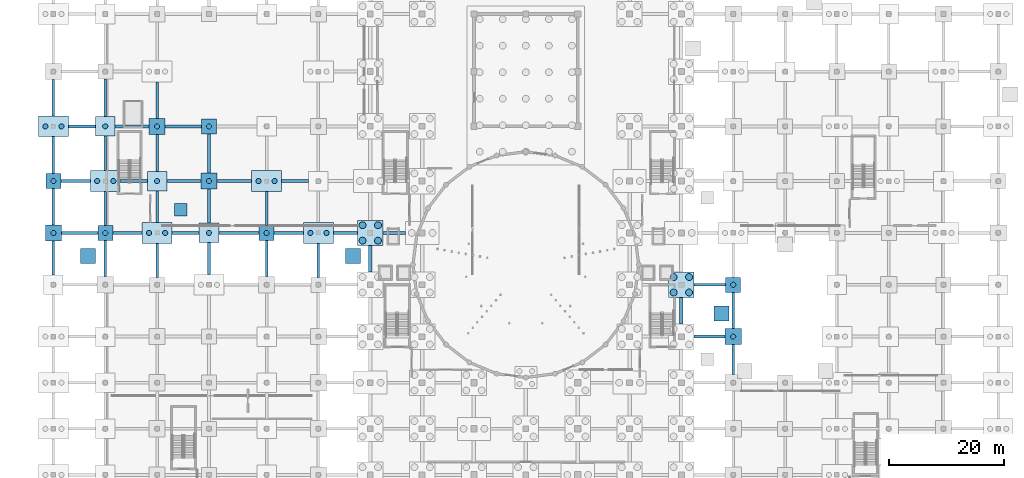
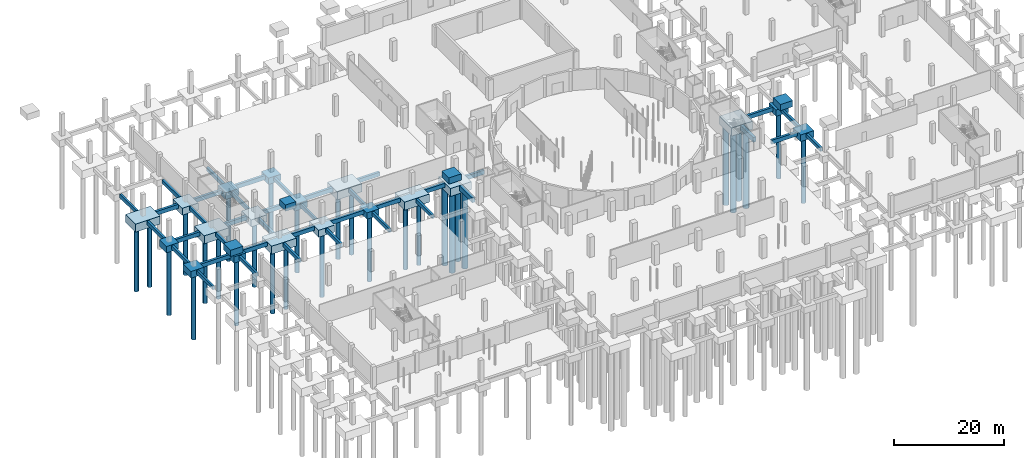
# One storey, part 5 of 40: 62 footings, 30 piles.
"""IFC4 building model written with IfcOpenShell, lengths in metres."""

from ifc_helpers import new_model, si_unit, direction, frame, origin, origin_2d, place, context, subcontext, project, spatial, rectangle, circle, extrude, material, layer, layer_set, material_profile, profile_set, type_object, element, save


model = new_model("IFC4")

# Units and contexts
model_context = context("Model", 3, precision=1e-05, world=origin(), true_north=direction((0.0, 1.0)))
body_context = subcontext(model_context, "Body", "Model", "MODEL_VIEW")
ifc_project = project(units=[si_unit("LENGTHUNIT", "METRE"), si_unit("AREAUNIT", "SQUARE_METRE"), si_unit("VOLUMEUNIT", "CUBIC_METRE"), si_unit("PLANEANGLEUNIT", "RADIAN"), si_unit("MASSUNIT", "GRAM", prefix="KILO")], contexts=[model_context])

# Site, building, storey
site_placement = place(None, origin())
site = spatial("IfcSite", under=ifc_project, at=site_placement, CompositionType="ELEMENT")
building_placement = place(site_placement, origin())
building = spatial("IfcBuilding", under=site, at=building_placement, Name="Marnock Terrace Opera House", CompositionType="ELEMENT")
storey_placement = place(building_placement, frame((0.0, 0.0, -4.800048828125)))
storey = spatial("IfcBuildingStorey", under=building, at=storey_placement, Name="B1", CompositionType="ELEMENT", Elevation=-4.800048828125)

# Footings
ifc_material = material(Name="Concrete N40 (f'c = 40 MPa)", Category="concrete")
ifc_layer_1 = layer(ifc_material, 1.39990234375)
ifc_layer_set_1 = layer_set([ifc_layer_1], Name="Concrete N40 (f'c = 40 MPa)")
footing_type_1 = type_object("IfcFootingType", Name="FT-CAP-2600", PredefinedType="PILE_CAP", material=ifc_layer_set_1)
for number, where, z_axis, x_axis, name in (
    (1, (0.0, 75.0, -1.7998046875), (0.0, 0.0, 1.0), (1.0, 0.0, 0.0), "Pile cap FT-CAP-009"),
    (2, (9.0, 66.0, -1.7998046875), (0.0, 0.0, 1.0), (1.0, 0.0, 0.0), "Pile cap FT-CAP-021"),
    (3, (27.0, 84.5, -1.7998046875), (0.0, 0.0, 1.0), (1.0, 0.0, 0.0), "Pile cap FT-CAP-049"),
    (4, (37.0, 66.0, -1.7998046875), (0.0, 0.0, 1.0), (1.0, 0.0, 0.0), "Pile cap FT-CAP-059"),
    (5, (118.0, 57.0, -1.7998046875), (0.0, 0.0, 1.0), (1.0, 0.0, 0.0), "Pile cap FT-CAP-155"),
):
    element("IfcFooting", number, at=place(storey_placement, frame(where, z_axis=z_axis, x_axis=x_axis)), inside=storey, type_object=footing_type_1, Name=name, PredefinedType="PILE_CAP", context=body_context, shape_type="SweptSolid", body=[
        extrude(rectangle(XDim=2.60009765625, YDim=2.60009765625, at=origin_2d()), origin(), (0.0, 0.0, 1.0), 1.39990234375),
    ])
ifc_layer_2 = layer(ifc_material, 1.5)
ifc_layer_set_2 = layer_set([ifc_layer_2], Name="Concrete N40 (f'c = 40 MPa)")
footing_type_2 = type_object("IfcFootingType", Name="FT-CAP-2800", PredefinedType="PILE_CAP", material=ifc_layer_set_2)
for number, where, z_axis, x_axis, name in (
    (6, (0.0, 66.0, -1.89990234375), (0.0, 0.0, 1.0), (1.0, 0.0, 0.0), "Pile cap FT-CAP-008"),
    (7, (18.0, 84.5, -1.89990234375), (0.0, 0.0, 1.0), (1.0, 0.0, 0.0), "Pile cap FT-CAP-036"),
    (8, (27.0, 75.0, -1.89990234375), (0.0, 0.0, 1.0), (1.0, 0.0, 0.0), "Pile cap FT-CAP-048"),
    (9, (118.0, 48.0, -1.89990234375), (0.0, 0.0, 1.0), (1.0, 0.0, 0.0), "Pile cap FT-CAP-154"),
):
    element("IfcFooting", number, at=place(storey_placement, frame(where, z_axis=z_axis, x_axis=x_axis)), inside=storey, type_object=footing_type_2, Name=name, PredefinedType="PILE_CAP", context=body_context, shape_type="SweptSolid", body=[
        extrude(rectangle(XDim=2.800048828125, YDim=2.800048828125, at=origin_2d()), origin(), (0.0, 0.0, 1.0), 1.5),
    ])
ifc_layer_3 = layer(ifc_material, 1.550048828125)
ifc_layer_set_3 = layer_set([ifc_layer_3], Name="Concrete N40 (f'c = 40 MPa)")
footing_type_3 = type_object("IfcFootingType", Name="FT-CAP-3400", PredefinedType="PILE_CAP", material=ifc_layer_set_3)
for number, where, z_axis, x_axis, name in (
    (10, (9.0, 84.5, -1.9501953125), (0.0, 0.0, 1.0), (1.0, 0.0, 0.0), "Pile cap FT-CAP-023"),
    (11, (18.0, 75.0, -1.9501953125), (0.0, 0.0, 1.0), (1.0, 0.0, 0.0), "Pile cap FT-CAP-035"),
    (12, (27.0, 66.0, -1.9501953125), (0.0, 0.0, 1.0), (1.0, 0.0, 0.0), "Pile cap FT-CAP-047"),
):
    element("IfcFooting", number, at=place(storey_placement, frame(where, z_axis=z_axis, x_axis=x_axis)), inside=storey, type_object=footing_type_3, Name=name, PredefinedType="PILE_CAP", context=body_context, shape_type="SweptSolid", body=[
        extrude(rectangle(XDim=3.39990234375, YDim=3.39990234375, at=origin_2d()), origin(), (0.0, 0.0, 1.0), 1.550048828125),
    ])
ifc_layer_4 = layer(ifc_material, 1.800048828125)
ifc_layer_set_4 = layer_set([ifc_layer_4], Name="Concrete N40 (f'c = 40 MPa)")
footing_type_4 = type_object("IfcFootingType", Name="FT-CAP-4400", PredefinedType="PILE_CAP", material=ifc_layer_set_4)
for number, where, z_axis, x_axis, name in (
    (13, (55.0, 66.0, -2.2001953125), (0.0, 0.0, 1.0), (1.0, 0.0, 0.0), "Pile cap FT-CAP-084"),
    (14, (109.0, 57.0, -2.2001953125), (0.0, 0.0, 1.0), (1.0, 0.0, 0.0), "Pile cap FT-CAP-142"),
):
    element("IfcFooting", number, at=place(storey_placement, frame(where, z_axis=z_axis, x_axis=x_axis)), inside=storey, type_object=footing_type_4, Name=name, PredefinedType="PILE_CAP", context=body_context, shape_type="SweptSolid", body=[
        extrude(rectangle(XDim=4.39990234375, YDim=4.39990234375, at=origin_2d()), origin(), (0.0, 0.0, 1.0), 1.800048828125),
    ])
ifc_layer_5 = layer(ifc_material, 1.800048828125)
ifc_layer_set_5 = layer_set([ifc_layer_5], Name="Concrete N40 (f'c = 40 MPa)")
footing_type_5 = type_object("IfcFootingType", Name="FT-CAP-5200", PredefinedType="PILE_CAP", material=ifc_layer_set_5)
for number, where, z_axis, x_axis, name in (
    (15, (0.0, 84.5, -2.2001953125), (0.0, 0.0, 1.0), (1.0, 0.0, 0.0), "Pile cap FT-CAP-010"),
    (16, (9.0, 75.0, -2.2001953125), (0.0, 0.0, 1.0), (1.0, 0.0, 0.0), "Pile cap FT-CAP-022"),
    (17, (18.0, 66.0, -2.2001953125), (0.0, 0.0, 1.0), (1.0, 0.0, 0.0), "Pile cap FT-CAP-034"),
    (18, (37.0, 75.0, -2.2001953125), (0.0, 0.0, 1.0), (1.0, 0.0, 0.0), "Pile cap FT-CAP-060"),
    (19, (46.0, 66.0, -2.2001953125), (0.0, 0.0, 1.0), (1.0, 0.0, 0.0), "Pile cap FT-CAP-071"),
):
    element("IfcFooting", number, at=place(storey_placement, frame(where, z_axis=z_axis, x_axis=x_axis)), inside=storey, type_object=footing_type_5, Name=name, PredefinedType="PILE_CAP", context=body_context, shape_type="SweptSolid", body=[
        extrude(rectangle(XDim=5.199951171875, YDim=3.60009765625, at=origin_2d()), origin(), (0.0, 0.0, 1.0), 1.800048828125),
    ])
ifc_material_profile_1 = material_profile(ifc_material, rectangle(XDim=0.449951171875, YDim=0.800048828125, at=origin_2d()))
ifc_profile_set_1 = profile_set([ifc_material_profile_1], Name="Concrete N40 (f'c = 40 MPa)")
footing_type_6 = type_object("IfcFootingType", Name="FT-GB-450", PredefinedType="FOOTING_BEAM", material=ifc_profile_set_1)
footing_1_placement = place(storey_placement, frame((0.0, 58.699951171875, -0.949951171875), z_axis=(0.0, 1.0, 0.0), x_axis=(-1.0, 0.0, 0.0)))
element("IfcFooting", 20, at=footing_1_placement, inside=storey, type_object=footing_type_6, Name="Ground tie beam Y-7", PredefinedType="FOOTING_BEAM", context=body_context, shape_type="SweptSolid", body=[
    extrude(rectangle(XDim=0.449951171875, YDim=0.800048828125, at=origin_2d()), origin(), (0.0, 0.0, 1.0), 5.900146484375),
])
footing_2_placement = place(storey_placement, frame((0.0, 67.39990234375, -0.949951171875), z_axis=(0.0, 1.0, 0.0), x_axis=(-1.0, 0.0, 0.0)))
element("IfcFooting", 21, at=footing_2_placement, inside=storey, type_object=footing_type_6, Name="Ground tie beam Y-8", PredefinedType="FOOTING_BEAM", context=body_context, shape_type="SweptSolid", body=[
    extrude(rectangle(XDim=0.449951171875, YDim=0.800048828125, at=origin_2d()), origin(), (0.0, 0.0, 1.0), 6.300048828125),
])
footing_3_placement = place(storey_placement, frame((0.0, 76.300048828125, -0.949951171875), z_axis=(0.0, 1.0, 0.0), x_axis=(-1.0, 0.0, 0.0)))
element("IfcFooting", 22, at=footing_3_placement, inside=storey, type_object=footing_type_6, Name="Ground tie beam Y-9", PredefinedType="FOOTING_BEAM", context=body_context, shape_type="SweptSolid", body=[
    extrude(rectangle(XDim=0.449951171875, YDim=0.800048828125, at=origin_2d()), origin(), (0.0, 0.0, 1.0), 6.39990234375),
])
for number, where, z_axis, x_axis, name in (
    (23, (0.0, 86.300048828125, -0.949951171875), (0.0, 1.0, 0.0), (-1.0, 0.0, 0.0), "Ground tie beam Y-10"),
    (24, (9.0, 58.39990234375, -0.949951171875), (0.0, 1.0, 0.0), (-1.0, 0.0, 0.0), "Ground tie beam Y-19"),
):
    element("IfcFooting", number, at=place(storey_placement, frame(where, z_axis=z_axis, x_axis=x_axis)), inside=storey, type_object=footing_type_6, Name=name, PredefinedType="FOOTING_BEAM", context=body_context, shape_type="SweptSolid", body=[
        extrude(rectangle(XDim=0.449951171875, YDim=0.800048828125, at=origin_2d()), origin(), (0.0, 0.0, 1.0), 6.300048828125),
    ])
footing_4_placement = place(storey_placement, frame((9.0, 67.300048828125, -0.949951171875), z_axis=(0.0, 1.0, 0.0), x_axis=(-1.0, 0.0, 0.0)))
element("IfcFooting", 25, at=footing_4_placement, inside=storey, type_object=footing_type_6, Name="Ground tie beam Y-20", PredefinedType="FOOTING_BEAM", context=body_context, shape_type="SweptSolid", body=[
    extrude(rectangle(XDim=0.449951171875, YDim=0.800048828125, at=origin_2d()), origin(), (0.0, 0.0, 1.0), 5.89990234375),
])
footing_5_placement = place(storey_placement, frame((9.0, 76.800048828125, -0.949951171875), z_axis=(0.0, 1.0, 0.0), x_axis=(-1.0, 0.0, 0.0)))
element("IfcFooting", 26, at=footing_5_placement, inside=storey, type_object=footing_type_6, Name="Ground tie beam Y-21", PredefinedType="FOOTING_BEAM", context=body_context, shape_type="SweptSolid", body=[
    extrude(rectangle(XDim=0.449951171875, YDim=0.800048828125, at=origin_2d()), origin(), (0.0, 0.0, 1.0), 6.0),
])
footing_6_placement = place(storey_placement, frame((9.0, 86.199951171875, -0.949951171875), z_axis=(0.0, 1.0, 0.0), x_axis=(-1.0, 0.0, 0.0)))
element("IfcFooting", 27, at=footing_6_placement, inside=storey, type_object=footing_type_6, Name="Ground tie beam Y-22", PredefinedType="FOOTING_BEAM", context=body_context, shape_type="SweptSolid", body=[
    extrude(rectangle(XDim=0.449951171875, YDim=0.800048828125, at=origin_2d()), origin(), (0.0, 0.0, 1.0), 6.5),
])
footing_7_placement = place(storey_placement, frame((18.0, 58.300048828125, -0.949951171875), z_axis=(0.0, 1.0, 0.0), x_axis=(-1.0, 0.0, 0.0)))
element("IfcFooting", 28, at=footing_7_placement, inside=storey, type_object=footing_type_6, Name="Ground tie beam Y-31", PredefinedType="FOOTING_BEAM", context=body_context, shape_type="SweptSolid", body=[
    extrude(rectangle(XDim=0.449951171875, YDim=0.800048828125, at=origin_2d()), origin(), (0.0, 0.0, 1.0), 5.89990234375),
])
footing_8_placement = place(storey_placement, frame((18.0, 67.800048828125, -0.949951171875), z_axis=(0.0, 1.0, 0.0), x_axis=(-1.0, 0.0, 0.0)))
element("IfcFooting", 29, at=footing_8_placement, inside=storey, type_object=footing_type_6, Name="Ground tie beam Y-32", PredefinedType="FOOTING_BEAM", context=body_context, shape_type="SweptSolid", body=[
    extrude(rectangle(XDim=0.449951171875, YDim=0.800048828125, at=origin_2d()), origin(), (0.0, 0.0, 1.0), 5.5),
])
footing_9_placement = place(storey_placement, frame((18.0, 76.699951171875, -0.949951171875), z_axis=(0.0, 1.0, 0.0), x_axis=(-1.0, 0.0, 0.0)))
element("IfcFooting", 30, at=footing_9_placement, inside=storey, type_object=footing_type_6, Name="Ground tie beam Y-33", PredefinedType="FOOTING_BEAM", context=body_context, shape_type="SweptSolid", body=[
    extrude(rectangle(XDim=0.449951171875, YDim=0.800048828125, at=origin_2d()), origin(), (0.0, 0.0, 1.0), 6.400146484375),
])
footing_10_placement = place(storey_placement, frame((18.0, 85.89990234375, -0.949951171875), z_axis=(0.0, 1.0, 0.0), x_axis=(-1.0, 0.0, 0.0)))
element("IfcFooting", 31, at=footing_10_placement, inside=storey, type_object=footing_type_6, Name="Ground tie beam Y-34", PredefinedType="FOOTING_BEAM", context=body_context, shape_type="SweptSolid", body=[
    extrude(rectangle(XDim=0.449951171875, YDim=0.800048828125, at=origin_2d()), origin(), (0.0, 0.0, 1.0), 6.300048828125),
])
footing_11_placement = place(storey_placement, frame((27.0, 58.800048828125, -0.949951171875), z_axis=(0.0, 1.0, 0.0), x_axis=(-1.0, 0.0, 0.0)))
element("IfcFooting", 32, at=footing_11_placement, inside=storey, type_object=footing_type_6, Name="Ground tie beam Y-43", PredefinedType="FOOTING_BEAM", context=body_context, shape_type="SweptSolid", body=[
    extrude(rectangle(XDim=0.449951171875, YDim=0.800048828125, at=origin_2d()), origin(), (0.0, 0.0, 1.0), 5.5),
])
footing_12_placement = place(storey_placement, frame((27.0, 67.699951171875, -0.949951171875), z_axis=(0.0, 1.0, 0.0), x_axis=(-1.0, 0.0, 0.0)))
element("IfcFooting", 33, at=footing_12_placement, inside=storey, type_object=footing_type_6, Name="Ground tie beam Y-44", PredefinedType="FOOTING_BEAM", context=body_context, shape_type="SweptSolid", body=[
    extrude(rectangle(XDim=0.449951171875, YDim=0.800048828125, at=origin_2d()), origin(), (0.0, 0.0, 1.0), 5.900146484375),
])
footing_13_placement = place(storey_placement, frame((27.0, 76.39990234375, -0.949951171875), z_axis=(0.0, 1.0, 0.0), x_axis=(-1.0, 0.0, 0.0)))
element("IfcFooting", 34, at=footing_13_placement, inside=storey, type_object=footing_type_6, Name="Ground tie beam Y-45", PredefinedType="FOOTING_BEAM", context=body_context, shape_type="SweptSolid", body=[
    extrude(rectangle(XDim=0.449951171875, YDim=0.800048828125, at=origin_2d()), origin(), (0.0, 0.0, 1.0), 6.800048828125),
])
footing_14_placement = place(storey_placement, frame((37.0, 58.39990234375, -0.949951171875), z_axis=(0.0, 1.0, 0.0), x_axis=(-1.0, 0.0, 0.0)))
element("IfcFooting", 35, at=footing_14_placement, inside=storey, type_object=footing_type_6, Name="Ground tie beam Y-53", PredefinedType="FOOTING_BEAM", context=body_context, shape_type="SweptSolid", body=[
    extrude(rectangle(XDim=0.449951171875, YDim=0.800048828125, at=origin_2d()), origin(), (0.0, 0.0, 1.0), 6.300048828125),
])
for number, where, z_axis, x_axis, name in (
    (36, (37.0, 67.300048828125, -0.949951171875), (0.0, 1.0, 0.0), (-1.0, 0.0, 0.0), "Ground tie beam Y-54"),
    (37, (46.0, 58.300048828125, -0.949951171875), (0.0, 1.0, 0.0), (-1.0, 0.0, 0.0), "Ground tie beam Y-63"),
):
    element("IfcFooting", number, at=place(storey_placement, frame(where, z_axis=z_axis, x_axis=x_axis)), inside=storey, type_object=footing_type_6, Name=name, PredefinedType="FOOTING_BEAM", context=body_context, shape_type="SweptSolid", body=[
        extrude(rectangle(XDim=0.449951171875, YDim=0.800048828125, at=origin_2d()), origin(), (0.0, 0.0, 1.0), 5.89990234375),
    ])
footing_15_placement = place(storey_placement, frame((118.0, 41.39990234375, -0.949951171875), z_axis=(0.0, 1.0, 0.0), x_axis=(-1.0, 0.0, 0.0)))
element("IfcFooting", 38, at=footing_15_placement, inside=storey, type_object=footing_type_6, Name="Ground tie beam Y-134", PredefinedType="FOOTING_BEAM", context=body_context, shape_type="SweptSolid", body=[
    extrude(rectangle(XDim=0.449951171875, YDim=0.800048828125, at=origin_2d()), origin(), (0.0, 0.0, 1.0), 5.2001953125),
])
footing_16_placement = place(storey_placement, frame((118.0, 49.39990234375, -0.949951171875), z_axis=(0.0, 1.0, 0.0), x_axis=(-1.0, 0.0, 0.0)))
element("IfcFooting", 39, at=footing_16_placement, inside=storey, type_object=footing_type_6, Name="Ground tie beam Y-135", PredefinedType="FOOTING_BEAM", context=body_context, shape_type="SweptSolid", body=[
    extrude(rectangle(XDim=0.449951171875, YDim=0.800048828125, at=origin_2d()), origin(), (0.0, 0.0, 1.0), 6.300048828125),
])
ifc_material_profile_2 = material_profile(ifc_material, rectangle(XDim=0.5, YDim=0.89990234375, at=origin_2d()))
ifc_profile_set_2 = profile_set([ifc_material_profile_2], Name="Concrete N40 (f'c = 40 MPa)")
footing_type_7 = type_object("IfcFootingType", Name="FT-GB-500", PredefinedType="FOOTING_BEAM", material=ifc_profile_set_2)
footing_17_placement = place(storey_placement, frame((111.199951171875, 48.0, -0.849853515625), z_axis=(1.0, 0.0, 0.0), x_axis=(0.0, 1.0, 0.0)))
element("IfcFooting", 40, at=footing_17_placement, inside=storey, type_object=footing_type_7, Name="Ground tie beam X-293", PredefinedType="FOOTING_BEAM", context=body_context, shape_type="SweptSolid", body=[
    extrude(rectangle(XDim=0.5, YDim=0.89990234375, at=origin_2d()), origin(), (0.0, 0.0, 1.0), 5.400146484375),
])
footing_18_placement = place(storey_placement, frame((111.199951171875, 57.0, -0.849853515625), z_axis=(1.0, 0.0, 0.0), x_axis=(0.0, 1.0, 0.0)))
element("IfcFooting", 41, at=footing_18_placement, inside=storey, type_object=footing_type_7, Name="Ground tie beam X-305", PredefinedType="FOOTING_BEAM", context=body_context, shape_type="SweptSolid", body=[
    extrude(rectangle(XDim=0.5, YDim=0.89990234375, at=origin_2d()), origin(), (0.0, 0.0, 1.0), 5.5),
])
footing_19_placement = place(storey_placement, frame((1.39990234375, 66.0, -0.849853515625), z_axis=(1.0, 0.0, 0.0), x_axis=(0.0, 1.0, 0.0)))
element("IfcFooting", 42, at=footing_19_placement, inside=storey, type_object=footing_type_7, Name="Ground tie beam X-309", PredefinedType="FOOTING_BEAM", context=body_context, shape_type="SweptSolid", body=[
    extrude(rectangle(XDim=0.5, YDim=0.89990234375, at=origin_2d()), origin(), (0.0, 0.0, 1.0), 6.300048828125),
])
footing_20_placement = place(storey_placement, frame((10.300048828125, 66.0, -0.849853515625), z_axis=(1.0, 0.0, 0.0), x_axis=(0.0, 1.0, 0.0)))
element("IfcFooting", 43, at=footing_20_placement, inside=storey, type_object=footing_type_7, Name="Ground tie beam X-310", PredefinedType="FOOTING_BEAM", context=body_context, shape_type="SweptSolid", body=[
    extrude(rectangle(XDim=0.5, YDim=0.89990234375, at=origin_2d()), origin(), (0.0, 0.0, 1.0), 5.099853515625),
])
footing_21_placement = place(storey_placement, frame((20.60009765625, 66.0, -0.849853515625), z_axis=(1.0, 0.0, 0.0), x_axis=(0.0, 1.0, 0.0)))
element("IfcFooting", 44, at=footing_21_placement, inside=storey, type_object=footing_type_7, Name="Ground tie beam X-311", PredefinedType="FOOTING_BEAM", context=body_context, shape_type="SweptSolid", body=[
    extrude(rectangle(XDim=0.5, YDim=0.89990234375, at=origin_2d()), origin(), (0.0, 0.0, 1.0), 4.699951171875),
])
footing_22_placement = place(storey_placement, frame((28.699951171875, 66.0, -0.849853515625), z_axis=(1.0, 0.0, 0.0), x_axis=(0.0, 1.0, 0.0)))
element("IfcFooting", 45, at=footing_22_placement, inside=storey, type_object=footing_type_7, Name="Ground tie beam X-312", PredefinedType="FOOTING_BEAM", context=body_context, shape_type="SweptSolid", body=[
    extrude(rectangle(XDim=0.5, YDim=0.89990234375, at=origin_2d()), origin(), (0.0, 0.0, 1.0), 7.0),
])
footing_23_placement = place(storey_placement, frame((38.300048828125, 66.0, -0.849853515625), z_axis=(1.0, 0.0, 0.0), x_axis=(0.0, 1.0, 0.0)))
element("IfcFooting", 46, at=footing_23_placement, inside=storey, type_object=footing_type_7, Name="Ground tie beam X-313", PredefinedType="FOOTING_BEAM", context=body_context, shape_type="SweptSolid", body=[
    extrude(rectangle(XDim=0.5, YDim=0.89990234375, at=origin_2d()), origin(), (0.0, 0.0, 1.0), 5.099853515625),
])
footing_24_placement = place(storey_placement, frame((48.60009765625, 66.0, -0.849853515625), z_axis=(1.0, 0.0, 0.0), x_axis=(0.0, 1.0, 0.0)))
element("IfcFooting", 47, at=footing_24_placement, inside=storey, type_object=footing_type_7, Name="Ground tie beam X-314", PredefinedType="FOOTING_BEAM", context=body_context, shape_type="SweptSolid", body=[
    extrude(rectangle(XDim=0.5, YDim=0.89990234375, at=origin_2d()), origin(), (0.0, 0.0, 1.0), 4.199951171875),
])
footing_25_placement = place(storey_placement, frame((57.199951171875, 66.0, -0.849853515625), z_axis=(1.0, 0.0, 0.0), x_axis=(0.0, 1.0, 0.0)))
element("IfcFooting", 48, at=footing_25_placement, inside=storey, type_object=footing_type_7, Name="Ground tie beam X-315", PredefinedType="FOOTING_BEAM", context=body_context, shape_type="SweptSolid", body=[
    extrude(rectangle(XDim=0.5, YDim=0.89990234375, at=origin_2d()), origin(), (0.0, 0.0, 1.0), 3.900146484375),
])
footing_26_placement = place(storey_placement, frame((1.300048828125, 75.0, -0.849853515625), z_axis=(1.0, 0.0, 0.0), x_axis=(0.0, 1.0, 0.0)))
element("IfcFooting", 49, at=footing_26_placement, inside=storey, type_object=footing_type_7, Name="Ground tie beam X-323", PredefinedType="FOOTING_BEAM", context=body_context, shape_type="SweptSolid", body=[
    extrude(rectangle(XDim=0.5, YDim=0.89990234375, at=origin_2d()), origin(), (0.0, 0.0, 1.0), 5.099853515625),
])
footing_27_placement = place(storey_placement, frame((11.60009765625, 75.0, -0.849853515625), z_axis=(1.0, 0.0, 0.0), x_axis=(0.0, 1.0, 0.0)))
element("IfcFooting", 50, at=footing_27_placement, inside=storey, type_object=footing_type_7, Name="Ground tie beam X-324", PredefinedType="FOOTING_BEAM", context=body_context, shape_type="SweptSolid", body=[
    extrude(rectangle(XDim=0.5, YDim=0.89990234375, at=origin_2d()), origin(), (0.0, 0.0, 1.0), 4.699951171875),
])
footing_28_placement = place(storey_placement, frame((19.699951171875, 75.0, -0.849853515625), z_axis=(1.0, 0.0, 0.0), x_axis=(0.0, 1.0, 0.0)))
element("IfcFooting", 51, at=footing_28_placement, inside=storey, type_object=footing_type_7, Name="Ground tie beam X-325", PredefinedType="FOOTING_BEAM", context=body_context, shape_type="SweptSolid", body=[
    extrude(rectangle(XDim=0.5, YDim=0.89990234375, at=origin_2d()), origin(), (0.0, 0.0, 1.0), 5.900146484375),
])
footing_29_placement = place(storey_placement, frame((28.39990234375, 75.0, -0.849853515625), z_axis=(1.0, 0.0, 0.0), x_axis=(0.0, 1.0, 0.0)))
element("IfcFooting", 52, at=footing_29_placement, inside=storey, type_object=footing_type_7, Name="Ground tie beam X-326", PredefinedType="FOOTING_BEAM", context=body_context, shape_type="SweptSolid", body=[
    extrude(rectangle(XDim=0.5, YDim=0.89990234375, at=origin_2d()), origin(), (0.0, 0.0, 1.0), 6.0),
])
for number, where, z_axis, x_axis, name in (
    (53, (39.60009765625, 75.0, -0.849853515625), (1.0, 0.0, 0.0), (0.0, 1.0, 0.0), "Ground tie beam X-327"),
    (54, (2.60009765625, 84.5, -0.849853515625), (1.0, 0.0, 0.0), (0.0, 1.0, 0.0), "Ground tie beam X-337"),
):
    element("IfcFooting", number, at=place(storey_placement, frame(where, z_axis=z_axis, x_axis=x_axis)), inside=storey, type_object=footing_type_7, Name=name, PredefinedType="FOOTING_BEAM", context=body_context, shape_type="SweptSolid", body=[
        extrude(rectangle(XDim=0.5, YDim=0.89990234375, at=origin_2d()), origin(), (0.0, 0.0, 1.0), 4.699951171875),
    ])
footing_30_placement = place(storey_placement, frame((10.699951171875, 84.5, -0.849853515625), z_axis=(1.0, 0.0, 0.0), x_axis=(0.0, 1.0, 0.0)))
element("IfcFooting", 55, at=footing_30_placement, inside=storey, type_object=footing_type_7, Name="Ground tie beam X-338", PredefinedType="FOOTING_BEAM", context=body_context, shape_type="SweptSolid", body=[
    extrude(rectangle(XDim=0.5, YDim=0.89990234375, at=origin_2d()), origin(), (0.0, 0.0, 1.0), 5.900146484375),
])
footing_31_placement = place(storey_placement, frame((19.39990234375, 84.5, -0.849853515625), z_axis=(1.0, 0.0, 0.0), x_axis=(0.0, 1.0, 0.0)))
element("IfcFooting", 56, at=footing_31_placement, inside=storey, type_object=footing_type_7, Name="Ground tie beam X-339", PredefinedType="FOOTING_BEAM", context=body_context, shape_type="SweptSolid", body=[
    extrude(rectangle(XDim=0.5, YDim=0.89990234375, at=origin_2d()), origin(), (0.0, 0.0, 1.0), 6.300048828125),
])
ifc_material_profile_3 = material_profile(ifc_material, rectangle(XDim=0.60009765625, YDim=1.10009765625, at=origin_2d()))
ifc_profile_set_3 = profile_set([ifc_material_profile_3], Name="Concrete N40 (f'c = 40 MPa)")
footing_type_8 = type_object("IfcFootingType", Name="FT-GB-600", PredefinedType="FOOTING_BEAM", material=ifc_profile_set_3)
for number, where, z_axis, x_axis, name in (
    (57, (55.0, 59.199951171875, -0.949951171875), (0.0, 1.0, 0.0), (-1.0, 0.0, 0.0), "Ground tie beam Y-75"),
    (58, (109.0, 50.199951171875, -0.949951171875), (0.0, 1.0, 0.0), (-1.0, 0.0, 0.0), "Ground tie beam Y-123"),
):
    element("IfcFooting", number, at=place(storey_placement, frame(where, z_axis=z_axis, x_axis=x_axis)), inside=storey, type_object=footing_type_8, Name=name, PredefinedType="FOOTING_BEAM", context=body_context, shape_type="SweptSolid", body=[
        extrude(rectangle(XDim=0.60009765625, YDim=1.10009765625, at=origin_2d()), origin(), (0.0, 0.0, 1.0), 4.60009765625),
    ])
ifc_layer_6 = layer(ifc_material, 1.39990234375)
ifc_layer_set_6 = layer_set([ifc_layer_6], Name="Concrete N40 (f'c = 40 MPa)")
footing_type_9 = type_object("IfcFootingType", Name="FT-PAD-2200", PredefinedType="PAD_FOOTING", material=ifc_layer_set_6)
footing_32_placement = place(storey_placement, frame((22.10009765625, 70.0, 2.550048828125), z_axis=(0.0, 0.0, 1.0), x_axis=(1.0, 0.0, 0.0)))
element("IfcFooting", 59, at=footing_32_placement, inside=storey, type_object=footing_type_9, Name="Grade ramp foundation RMP-STAGE-01", PredefinedType="PAD_FOOTING", context=body_context, shape_type="SweptSolid", body=[
    extrude(rectangle(XDim=2.199951171875, YDim=2.199951171875, at=origin_2d()), origin(), (0.0, 0.0, 1.0), 1.39990234375),
])
ifc_layer_7 = layer(ifc_material, 1.39990234375)
ifc_layer_set_7 = layer_set([ifc_layer_7], Name="Concrete N40 (f'c = 40 MPa)")
footing_type_10 = type_object("IfcFootingType", Name="FT-PAD-2600", PredefinedType="PAD_FOOTING", material=ifc_layer_set_7)
for number, where, z_axis, x_axis, name in (
    (60, (52.0, 62.0, 3.16015625), (0.0, 0.0, 1.0), (1.0, 0.0, 0.0), "Upper-terrace grade pad footing FT-APR-CW2"),
    (61, (6.0, 62.0, 3.16015625), (0.0, 0.0, 1.0), (1.0, 0.0, 0.0), "Upper-terrace grade pad footing FT-APR-CW3"),
    (62, (116.0, 52.0, 3.16015625), (0.0, 0.0, 1.0), (1.0, 0.0, 0.0), "Upper-terrace grade pad footing FT-APR-PS2"),
):
    element("IfcFooting", number, at=place(storey_placement, frame(where, z_axis=z_axis, x_axis=x_axis)), inside=storey, type_object=footing_type_10, Name=name, PredefinedType="PAD_FOOTING", context=body_context, shape_type="SweptSolid", body=[
        extrude(rectangle(XDim=2.60009765625, YDim=2.60009765625, at=origin_2d()), origin(), (0.0, 0.0, 1.0), 1.39990234375),
    ])

# Piles
ifc_material_profile_4 = material_profile(ifc_material, circle(Radius=0.6005859375, at=origin_2d()))
ifc_profile_set_4 = profile_set([ifc_material_profile_4], Name="Concrete N40 (f'c = 40 MPa)")
pile_type_1 = type_object("IfcPileType", Name="PILE-CFA-1200", PredefinedType="BORED", material=ifc_profile_set_4)
for number, where, z_axis, x_axis, name in (
    (63, (53.659912109375, 64.659912109375, -2.099853515625), (0.0, 0.0, -1.0), (1.0, 0.0, 0.0), "Bored CFA pile 84.1"),
    (64, (56.340087890625, 64.659912109375, -2.099853515625), (0.0, 0.0, -1.0), (1.0, 0.0, 0.0), "Bored CFA pile 84.2"),
    (65, (53.659912109375, 67.340087890625, -2.099853515625), (0.0, 0.0, -1.0), (1.0, 0.0, 0.0), "Bored CFA pile 84.3"),
    (66, (56.340087890625, 67.340087890625, -2.099853515625), (0.0, 0.0, -1.0), (1.0, 0.0, 0.0), "Bored CFA pile 84.4"),
    (67, (107.659912109375, 55.659912109375, -2.099853515625), (0.0, 0.0, -1.0), (1.0, 0.0, 0.0), "Bored CFA pile 142.1"),
    (68, (110.340087890625, 55.659912109375, -2.099853515625), (0.0, 0.0, -1.0), (1.0, 0.0, 0.0), "Bored CFA pile 142.2"),
    (69, (107.659912109375, 58.340087890625, -2.099853515625), (0.0, 0.0, -1.0), (1.0, 0.0, 0.0), "Bored CFA pile 142.3"),
    (70, (110.340087890625, 58.340087890625, -2.099853515625), (0.0, 0.0, -1.0), (1.0, 0.0, 0.0), "Bored CFA pile 142.4"),
):
    element("IfcPile", number, at=place(storey_placement, frame(where, z_axis=z_axis, x_axis=x_axis)), inside=storey, type_object=pile_type_1, Name=name, PredefinedType="BORED", context=body_context, shape_type="SweptSolid", body=[
        extrude(circle(Radius=0.6005859375, at=origin_2d()), origin(), (0.0, 0.0, 1.0), 17.60009765625),
    ])
ifc_material_profile_5 = material_profile(ifc_material, circle(Radius=0.449951171875, at=origin_2d()))
ifc_profile_set_5 = profile_set([ifc_material_profile_5], Name="Concrete N40 (f'c = 40 MPa)")
pile_type_2 = type_object("IfcPileType", Name="PILE-CFA-900", PredefinedType="BORED", material=ifc_profile_set_5)
pile_1_placement = place(storey_placement, frame((0.0, 66.0, -1.800048828125), z_axis=(0.0, 0.0, -1.0), x_axis=(1.0, 0.0, 0.0)))
element("IfcPile", 71, at=pile_1_placement, inside=storey, type_object=pile_type_2, Name="Bored CFA pile 8.1", PredefinedType="BORED", context=body_context, shape_type="SweptSolid", body=[
    extrude(circle(Radius=0.449951171875, at=origin_2d()), origin(), (0.0, 0.0, 1.0), 14.89990234375),
])
pile_2_placement = place(storey_placement, frame((0.0, 75.0, -1.699951171875), z_axis=(0.0, 0.0, -1.0), x_axis=(1.0, 0.0, 0.0)))
element("IfcPile", 72, at=pile_2_placement, inside=storey, type_object=pile_type_2, Name="Bored CFA pile 9.1", PredefinedType="BORED", context=body_context, shape_type="SweptSolid", body=[
    extrude(circle(Radius=0.449951171875, at=origin_2d()), origin(), (0.0, 0.0, 1.0), 15.0),
])
for number, where, z_axis, x_axis, name in (
    (73, (-1.39990234375, 84.5, -2.099853515625), (0.0, 0.0, -1.0), (1.0, 0.0, 0.0), "Bored CFA pile 10.1"),
    (74, (1.39990234375, 84.5, -2.099853515625), (0.0, 0.0, -1.0), (1.0, 0.0, 0.0), "Bored CFA pile 10.2"),
):
    element("IfcPile", number, at=place(storey_placement, frame(where, z_axis=z_axis, x_axis=x_axis)), inside=storey, type_object=pile_type_2, Name=name, PredefinedType="BORED", context=body_context, shape_type="SweptSolid", body=[
        extrude(circle(Radius=0.449951171875, at=origin_2d()), origin(), (0.0, 0.0, 1.0), 14.60009765625),
    ])
pile_3_placement = place(storey_placement, frame((9.0, 66.0, -1.699951171875), z_axis=(0.0, 0.0, -1.0), x_axis=(1.0, 0.0, 0.0)))
element("IfcPile", 75, at=pile_3_placement, inside=storey, type_object=pile_type_2, Name="Bored CFA pile 21.1", PredefinedType="BORED", context=body_context, shape_type="SweptSolid", body=[
    extrude(circle(Radius=0.449951171875, at=origin_2d()), origin(), (0.0, 0.0, 1.0), 15.0),
])
for number, where, z_axis, x_axis, name in (
    (76, (7.60009765625, 75.0, -2.099853515625), (0.0, 0.0, -1.0), (1.0, 0.0, 0.0), "Bored CFA pile 22.1"),
    (77, (10.39990234375, 75.0, -2.099853515625), (0.0, 0.0, -1.0), (1.0, 0.0, 0.0), "Bored CFA pile 22.2"),
):
    element("IfcPile", number, at=place(storey_placement, frame(where, z_axis=z_axis, x_axis=x_axis)), inside=storey, type_object=pile_type_2, Name=name, PredefinedType="BORED", context=body_context, shape_type="SweptSolid", body=[
        extrude(circle(Radius=0.449951171875, at=origin_2d()), origin(), (0.0, 0.0, 1.0), 14.60009765625),
    ])
pile_4_placement = place(storey_placement, frame((9.0, 84.5, -1.849853515625), z_axis=(0.0, 0.0, -1.0), x_axis=(1.0, 0.0, 0.0)))
element("IfcPile", 78, at=pile_4_placement, inside=storey, type_object=pile_type_2, Name="Bored CFA pile 23.1", PredefinedType="BORED", context=body_context, shape_type="SweptSolid", body=[
    extrude(circle(Radius=0.449951171875, at=origin_2d()), origin(), (0.0, 0.0, 1.0), 14.85009765625),
])
for number, where, z_axis, x_axis, name in (
    (79, (16.60009765625, 66.0, -2.099853515625), (0.0, 0.0, -1.0), (1.0, 0.0, 0.0), "Bored CFA pile 34.1"),
    (80, (19.39990234375, 66.0, -2.099853515625), (0.0, 0.0, -1.0), (1.0, 0.0, 0.0), "Bored CFA pile 34.2"),
):
    element("IfcPile", number, at=place(storey_placement, frame(where, z_axis=z_axis, x_axis=x_axis)), inside=storey, type_object=pile_type_2, Name=name, PredefinedType="BORED", context=body_context, shape_type="SweptSolid", body=[
        extrude(circle(Radius=0.449951171875, at=origin_2d()), origin(), (0.0, 0.0, 1.0), 14.60009765625),
    ])
pile_5_placement = place(storey_placement, frame((18.0, 75.0, -1.849853515625), z_axis=(0.0, 0.0, -1.0), x_axis=(1.0, 0.0, 0.0)))
element("IfcPile", 81, at=pile_5_placement, inside=storey, type_object=pile_type_2, Name="Bored CFA pile 35.1", PredefinedType="BORED", context=body_context, shape_type="SweptSolid", body=[
    extrude(circle(Radius=0.449951171875, at=origin_2d()), origin(), (0.0, 0.0, 1.0), 14.85009765625),
])
pile_6_placement = place(storey_placement, frame((18.0, 84.5, -1.800048828125), z_axis=(0.0, 0.0, -1.0), x_axis=(1.0, 0.0, 0.0)))
element("IfcPile", 82, at=pile_6_placement, inside=storey, type_object=pile_type_2, Name="Bored CFA pile 36.1", PredefinedType="BORED", context=body_context, shape_type="SweptSolid", body=[
    extrude(circle(Radius=0.449951171875, at=origin_2d()), origin(), (0.0, 0.0, 1.0), 14.89990234375),
])
pile_7_placement = place(storey_placement, frame((27.0, 66.0, -1.849853515625), z_axis=(0.0, 0.0, -1.0), x_axis=(1.0, 0.0, 0.0)))
element("IfcPile", 83, at=pile_7_placement, inside=storey, type_object=pile_type_2, Name="Bored CFA pile 47.1", PredefinedType="BORED", context=body_context, shape_type="SweptSolid", body=[
    extrude(circle(Radius=0.449951171875, at=origin_2d()), origin(), (0.0, 0.0, 1.0), 14.85009765625),
])
pile_8_placement = place(storey_placement, frame((27.0, 75.0, -1.800048828125), z_axis=(0.0, 0.0, -1.0), x_axis=(1.0, 0.0, 0.0)))
element("IfcPile", 84, at=pile_8_placement, inside=storey, type_object=pile_type_2, Name="Bored CFA pile 48.1", PredefinedType="BORED", context=body_context, shape_type="SweptSolid", body=[
    extrude(circle(Radius=0.449951171875, at=origin_2d()), origin(), (0.0, 0.0, 1.0), 14.89990234375),
])
for number, where, z_axis, x_axis, name in (
    (85, (27.0, 84.5, -1.699951171875), (0.0, 0.0, -1.0), (1.0, 0.0, 0.0), "Bored CFA pile 49.1"),
    (86, (37.0, 66.0, -1.699951171875), (0.0, 0.0, -1.0), (1.0, 0.0, 0.0), "Bored CFA pile 59.1"),
):
    element("IfcPile", number, at=place(storey_placement, frame(where, z_axis=z_axis, x_axis=x_axis)), inside=storey, type_object=pile_type_2, Name=name, PredefinedType="BORED", context=body_context, shape_type="SweptSolid", body=[
        extrude(circle(Radius=0.449951171875, at=origin_2d()), origin(), (0.0, 0.0, 1.0), 15.0),
    ])
for number, where, z_axis, x_axis, name in (
    (87, (35.60009765625, 75.0, -2.099853515625), (0.0, 0.0, -1.0), (1.0, 0.0, 0.0), "Bored CFA pile 60.1"),
    (88, (38.39990234375, 75.0, -2.099853515625), (0.0, 0.0, -1.0), (1.0, 0.0, 0.0), "Bored CFA pile 60.2"),
    (89, (44.60009765625, 66.0, -2.099853515625), (0.0, 0.0, -1.0), (1.0, 0.0, 0.0), "Bored CFA pile 71.1"),
    (90, (47.39990234375, 66.0, -2.099853515625), (0.0, 0.0, -1.0), (1.0, 0.0, 0.0), "Bored CFA pile 71.2"),
):
    element("IfcPile", number, at=place(storey_placement, frame(where, z_axis=z_axis, x_axis=x_axis)), inside=storey, type_object=pile_type_2, Name=name, PredefinedType="BORED", context=body_context, shape_type="SweptSolid", body=[
        extrude(circle(Radius=0.449951171875, at=origin_2d()), origin(), (0.0, 0.0, 1.0), 14.60009765625),
    ])
pile_9_placement = place(storey_placement, frame((118.0, 48.0, -1.800048828125), z_axis=(0.0, 0.0, -1.0), x_axis=(1.0, 0.0, 0.0)))
element("IfcPile", 91, at=pile_9_placement, inside=storey, type_object=pile_type_2, Name="Bored CFA pile 154.1", PredefinedType="BORED", context=body_context, shape_type="SweptSolid", body=[
    extrude(circle(Radius=0.449951171875, at=origin_2d()), origin(), (0.0, 0.0, 1.0), 14.89990234375),
])
pile_10_placement = place(storey_placement, frame((118.0, 57.0, -1.699951171875), z_axis=(0.0, 0.0, -1.0), x_axis=(1.0, 0.0, 0.0)))
element("IfcPile", 92, at=pile_10_placement, inside=storey, type_object=pile_type_2, Name="Bored CFA pile 155.1", PredefinedType="BORED", context=body_context, shape_type="SweptSolid", body=[
    extrude(circle(Radius=0.449951171875, at=origin_2d()), origin(), (0.0, 0.0, 1.0), 15.0),
])

save(model, "model.ifc")
